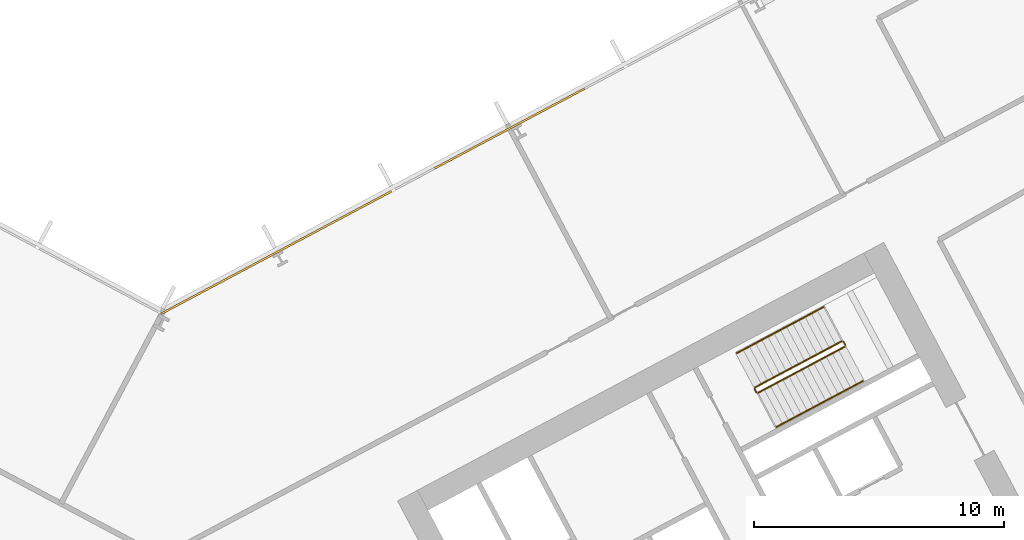
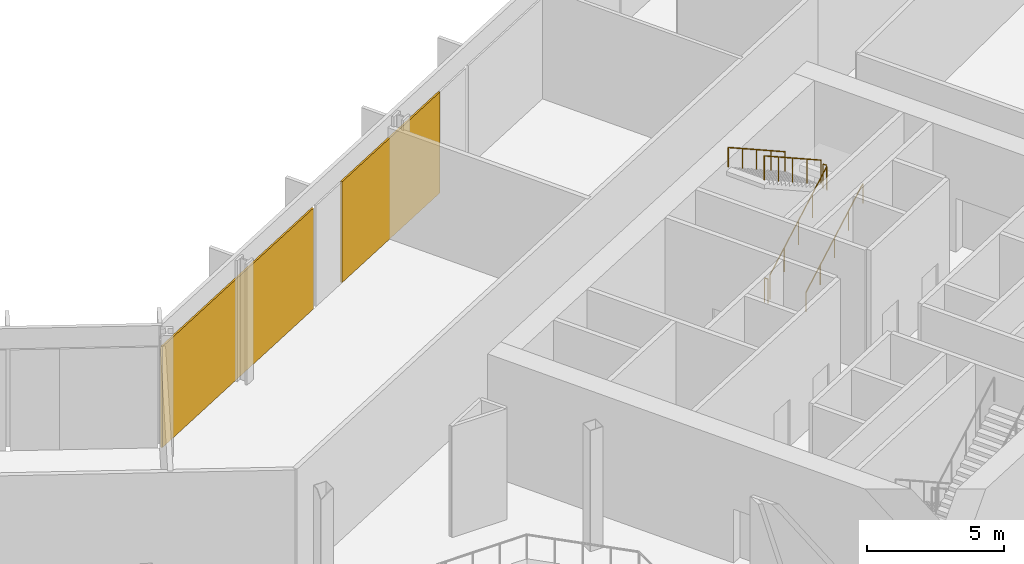
# One storey, part 28 of 30: 6 railings, 2 coverings, 1 element without a shape of its own.
"""IFC4 building model written with IfcOpenShell, lengths in metres."""

from ifc_helpers import new_model, si_unit, direction, frame, origin, origin_2d, place, context, subcontext, project, spatial, polyline, rectangle, outline, extrude, material, layer, layer_set, type_object, element, aggregate, save


model = new_model("IFC4")

# Units and contexts
model_context = context("Model", 3, precision=1e-05, world=origin(), true_north=direction((0.0, 1.0)))
body_context = subcontext(model_context, "Body", "Model", "MODEL_VIEW")
ifc_project = project(units=[si_unit("LENGTHUNIT", "METRE"), si_unit("AREAUNIT", "SQUARE_METRE"), si_unit("VOLUMEUNIT", "CUBIC_METRE"), si_unit("PLANEANGLEUNIT", "RADIAN"), si_unit("MASSUNIT", "GRAM", prefix="KILO")], contexts=[model_context])

# Site, building, storey
site_placement = place(None, origin())
site = spatial("IfcSite", under=ifc_project, at=site_placement, CompositionType="ELEMENT")
building_placement = place(site_placement, origin())
building = spatial("IfcBuilding", under=site, at=building_placement, Name="Cormorant Relay Tower", CompositionType="ELEMENT")
storey_placement = place(building_placement, frame((0.0, 0.0, 44.60009765625)))
storey = spatial("IfcBuildingStorey", under=building, at=storey_placement, Name="L08", CompositionType="ELEMENT", Elevation=44.60009765625)

# Curtain wall, coverings
ifc_material_1 = material(Name="Aluminium 6063-T6 anodised bronze", Category="aluminium")
ifc_layer_1 = layer(ifc_material_1, 0.235107421875)
ifc_layer_set_1 = layer_set([ifc_layer_1], Name="CW6 data hall curtain wall with mineral wool panels")
curtain_wall_type = type_object("IfcCurtainWallType", Name="CW6 data hall curtain wall with mineral wool panels", PredefinedType="NOTDEFINED", material=ifc_layer_set_1)
curtain_wall_placement = place(storey_placement, origin())
curtain_wall = element("IfcCurtainWall", 1, at=curtain_wall_placement, inside=storey, type_object=curtain_wall_type, Name="CW6 curtain wall 6", PredefinedType="NOTDEFINED")
ifc_material_2 = material(Name="Mineral wool cored anodised bronze aluminium cassette panel", Category="aluminium")
ifc_layer_2 = layer(ifc_material_2, 0.074951171875)
ifc_layer_set_2 = layer_set([ifc_layer_2], Name="CW6 mineral wool cassette panel 75")
covering_type = type_object("IfcCoveringType", Name="CW6 mineral wool cassette panel 75", PredefinedType="CLADDING", material=ifc_layer_set_2)
covering_1_placement = place(storey_placement, frame((13.9091796875, 31.221923828125, 0.0), z_axis=(0.0, 0.0, 1.0), x_axis=(-0.882947592859, -0.469471562786, 0.0)))
covering_1 = element("IfcCovering", 2, at=covering_1_placement, type_object=covering_type, Name="CW6 panel S07", PredefinedType="CLADDING", context=body_context, shape_type="SweptSolid", body=[
    extrude(rectangle(XDim=6.765380859375, YDim=0.074951171875, at=origin_2d()), origin(), (0.0, 0.0, 1.0), 4.5),
])
covering_2_placement = place(storey_placement, frame((4.591552734375, 26.267822265625, 0.0), z_axis=(0.0, 0.0, 1.0), x_axis=(-0.882947592859, -0.469471562786, 0.0)))
covering_2 = element("IfcCovering", 3, at=covering_2_placement, type_object=covering_type, Name="CW6 panel S09", PredefinedType="CLADDING", context=body_context, shape_type="SweptSolid", body=[
    extrude(rectangle(XDim=10.440185546875, YDim=0.074951171875, at=origin_2d()), origin(), (0.0, 0.0, 1.0), 4.5),
])
aggregate(curtain_wall, [covering_1, covering_2])

# Railings
ifc_material_3 = material(Name="Steel ASTM A572 Grade 50 (Fy 345 MPa)", Category="steel")
railing_type_1 = type_object("IfcRailingType", Name="Stair guard 1100", PredefinedType="GUARDRAIL", material=ifc_material_3)
railing_1_placement = place(storey_placement, frame((23.8408203125, 20.6611328125, 0.179931640625)))
element("IfcRailing", 4, at=railing_1_placement, inside=storey, type_object=railing_type_1, Name="L08 B2 stair guard 1", PredefinedType="GUARDRAIL", context=body_context, shape_type="SweptSolid", body=[
    extrude(outline(polyline([(0.022216796875, 0.00927734375), (0.00927734375, 0.022216796875), (-0.00927734375, 0.022216796875), (-0.022216796875, 0.00927734375), (-0.022216796875, -0.00927734375), (-0.00927734375, -0.022216796875), (0.00927734375, -0.022216796875), (0.022216796875, -0.00927734375), (0.022216796875, 0.00927734375)])), frame((0.0, 0.0, 1.076171875), z_axis=(0.74271721126, 0.394907409077, 0.540758062681), x_axis=(-0.469469396681, 0.882948744594, 0.0)), (0.0, 0.0, 1.0), 4.66015625),
    extrude(outline(polyline([(0.019287109375, 0.008056640625), (0.008056640625, 0.019287109375), (-0.008056640625, 0.019287109375), (-0.019287109375, 0.008056640625), (-0.019287109375, -0.008056640625), (-0.008056640625, -0.019287109375), (0.008056640625, -0.019287109375), (0.019287109375, -0.008056640625), (0.019287109375, 0.008056640625)])), origin(), (0.0, 0.0, 1.0), 1.052001953125),
    extrude(outline(polyline([(0.019287109375, 0.008056640625), (0.008056640625, 0.019287109375), (-0.008056640625, 0.019287109375), (-0.019287109375, 0.008056640625), (-0.019287109375, -0.008056640625), (-0.008056640625, -0.019287109375), (0.008056640625, -0.019287109375), (0.019287109375, -0.008056640625), (0.019287109375, 0.008056640625)])), frame((0.865234375, 0.4599609375, 0.6298828125)), (0.0, 0.0, 1.0), 1.052001953125),
    extrude(outline(polyline([(0.019287109375, 0.008056640625), (0.008056640625, 0.019287109375), (-0.008056640625, 0.019287109375), (-0.019287109375, 0.008056640625), (-0.019287109375, -0.008056640625), (-0.008056640625, -0.019287109375), (0.008056640625, -0.019287109375), (0.019287109375, -0.008056640625), (0.019287109375, 0.008056640625)])), frame((1.73046875, 0.920166015625, 1.260009765625)), (0.0, 0.0, 1.0), 1.052001953125),
    extrude(outline(polyline([(0.019287109375, 0.008056640625), (0.008056640625, 0.019287109375), (-0.008056640625, 0.019287109375), (-0.019287109375, 0.008056640625), (-0.019287109375, -0.008056640625), (-0.008056640625, -0.019287109375), (0.008056640625, -0.019287109375), (0.019287109375, -0.008056640625), (0.019287109375, 0.008056640625)])), frame((2.595947265625, 1.38037109375, 1.89013671875)), (0.0, 0.0, 1.0), 1.052001953125),
    extrude(outline(polyline([(0.019287109375, 0.008056640625), (0.008056640625, 0.019287109375), (-0.008056640625, 0.019287109375), (-0.019287109375, 0.008056640625), (-0.019287109375, -0.008056640625), (-0.008056640625, -0.019287109375), (0.008056640625, -0.019287109375), (0.019287109375, -0.008056640625), (0.019287109375, 0.008056640625)])), frame((3.461181640625, 1.84033203125, 2.52001953125)), (0.0, 0.0, 1.0), 1.052001953125),
])
railing_2_placement = place(storey_placement, frame((27.32275390625, 22.569091796875, 2.699951171875)))
element("IfcRailing", 5, at=railing_2_placement, inside=storey, type_object=railing_type_1, Name="L08 B2 stair guard 2", PredefinedType="GUARDRAIL", context=body_context, shape_type="SweptSolid", body=[
    extrude(outline(polyline([(0.022216796875, 0.00927734375), (0.00927734375, 0.022216796875), (-0.00927734375, 0.022216796875), (-0.022216796875, 0.00927734375), (-0.022216796875, -0.00927734375), (-0.00927734375, -0.022216796875), (0.00927734375, -0.022216796875), (0.022216796875, -0.00927734375), (0.022216796875, 0.00927734375)])), frame((0.0, 0.0, 1.076171875), z_axis=(-0.470503732759, 0.882398003998, 0.0), x_axis=(-0.882398003998, -0.470503732759, 0.0)), (0.0, 0.0, 1.0), 0.14990234375),
    extrude(outline(polyline([(0.019287109375, 0.008056640625), (0.008056640625, 0.019287109375), (-0.008056640625, 0.019287109375), (-0.019287109375, 0.008056640625), (-0.019287109375, -0.008056640625), (-0.008056640625, -0.019287109375), (0.008056640625, -0.019287109375), (0.019287109375, -0.008056640625), (0.019287109375, 0.008056640625)])), origin(), (0.0, 0.0, 1.0), 1.052001953125),
    extrude(outline(polyline([(0.019287109375, 0.008056640625), (0.008056640625, 0.019287109375), (-0.008056640625, 0.019287109375), (-0.019287109375, 0.008056640625), (-0.019287109375, -0.008056640625), (-0.008056640625, -0.019287109375), (0.008056640625, -0.019287109375), (0.019287109375, -0.008056640625), (0.019287109375, 0.008056640625)])), frame((-0.070556640625, 0.13232421875, 0.0)), (0.0, 0.0, 1.0), 1.052001953125),
])
railing_3_placement = place(storey_placement, frame((27.1845703125, 22.72216796875, 2.8798828125)))
element("IfcRailing", 6, at=railing_3_placement, inside=storey, type_object=railing_type_1, Name="L08 B2 stair guard 3", PredefinedType="GUARDRAIL", context=body_context, shape_type="SweptSolid", body=[
    extrude(outline(polyline([(0.022216796875, 0.00927734375), (0.00927734375, 0.022216796875), (-0.00927734375, 0.022216796875), (-0.022216796875, 0.00927734375), (-0.022216796875, -0.00927734375), (-0.00927734375, -0.022216796875), (0.00927734375, -0.022216796875), (0.022216796875, -0.00927734375), (0.022216796875, 0.00927734375)])), frame((0.0, 0.0, 1.076171875), z_axis=(-0.74271721126, -0.394907409077, 0.540758062681), x_axis=(0.469469396681, -0.882948744594, 0.0)), (0.0, 0.0, 1.0), 4.66015625),
    extrude(outline(polyline([(0.019287109375, 0.008056640625), (0.008056640625, 0.019287109375), (-0.008056640625, 0.019287109375), (-0.019287109375, 0.008056640625), (-0.019287109375, -0.008056640625), (-0.008056640625, -0.019287109375), (0.008056640625, -0.019287109375), (0.019287109375, -0.008056640625), (0.019287109375, 0.008056640625)])), origin(), (0.0, 0.0, 1.0), 1.052001953125),
    extrude(outline(polyline([(0.019287109375, 0.008056640625), (0.008056640625, 0.019287109375), (-0.008056640625, 0.019287109375), (-0.019287109375, 0.008056640625), (-0.019287109375, -0.008056640625), (-0.008056640625, -0.019287109375), (0.008056640625, -0.019287109375), (0.019287109375, -0.008056640625), (0.019287109375, 0.008056640625)])), frame((-0.865234375, -0.4599609375, 0.6298828125)), (0.0, 0.0, 1.0), 1.052001953125),
    extrude(outline(polyline([(0.019287109375, 0.008056640625), (0.008056640625, 0.019287109375), (-0.008056640625, 0.019287109375), (-0.019287109375, 0.008056640625), (-0.019287109375, -0.008056640625), (-0.008056640625, -0.019287109375), (0.008056640625, -0.019287109375), (0.019287109375, -0.008056640625), (0.019287109375, 0.008056640625)])), frame((-1.73046875, -0.920166015625, 1.260009765625)), (0.0, 0.0, 1.0), 1.052001953125),
    extrude(outline(polyline([(0.019287109375, 0.008056640625), (0.008056640625, 0.019287109375), (-0.008056640625, 0.019287109375), (-0.019287109375, 0.008056640625), (-0.019287109375, -0.008056640625), (-0.008056640625, -0.019287109375), (0.008056640625, -0.019287109375), (0.019287109375, -0.008056640625), (0.019287109375, 0.008056640625)])), frame((-2.595947265625, -1.38037109375, 1.89013671875)), (0.0, 0.0, 1.0), 1.052001953125),
    extrude(outline(polyline([(0.019287109375, 0.008056640625), (0.008056640625, 0.019287109375), (-0.008056640625, 0.019287109375), (-0.019287109375, 0.008056640625), (-0.019287109375, -0.008056640625), (-0.008056640625, -0.019287109375), (0.008056640625, -0.019287109375), (0.019287109375, -0.008056640625), (0.019287109375, 0.008056640625)])), frame((-3.461181640625, -1.84033203125, 2.52001953125)), (0.0, 0.0, 1.0), 1.052001953125),
])
railing_4_placement = place(storey_placement, frame((23.773193359375, 20.681640625, 0.0)))
element("IfcRailing", 7, at=railing_4_placement, inside=storey, type_object=railing_type_1, Name="L08 B2 stair guard 4", PredefinedType="GUARDRAIL", context=body_context, shape_type="SweptSolid", body=[
    extrude(outline(polyline([(0.022216796875, 0.00927734375), (0.00927734375, 0.022216796875), (-0.00927734375, 0.022216796875), (-0.022216796875, 0.00927734375), (-0.022216796875, -0.00927734375), (-0.00927734375, -0.022216796875), (0.00927734375, -0.022216796875), (0.022216796875, -0.00927734375), (0.022216796875, 0.00927734375)])), frame((0.0, 0.0, 1.076171875), z_axis=(-0.46856034887, 0.8834314911, 0.0), x_axis=(-0.8834314911, -0.46856034887, 0.0)), (0.0, 0.0, 1.0), 0.150146484375),
    extrude(outline(polyline([(0.019287109375, 0.008056640625), (0.008056640625, 0.019287109375), (-0.008056640625, 0.019287109375), (-0.019287109375, 0.008056640625), (-0.019287109375, -0.008056640625), (-0.008056640625, -0.019287109375), (0.008056640625, -0.019287109375), (0.019287109375, -0.008056640625), (0.019287109375, 0.008056640625)])), origin(), (0.0, 0.0, 1.0), 1.052001953125),
    extrude(outline(polyline([(0.019287109375, 0.008056640625), (0.008056640625, 0.019287109375), (-0.008056640625, 0.019287109375), (-0.019287109375, 0.008056640625), (-0.019287109375, -0.008056640625), (-0.008056640625, -0.019287109375), (0.008056640625, -0.019287109375), (0.019287109375, -0.008056640625), (0.019287109375, 0.008056640625)])), frame((-0.0703125, 0.132568359375, 0.0)), (0.0, 0.0, 1.0), 1.052001953125),
])
ifc_material_4 = material(Name="Steel ASTM A572 Grade 50 (Fy 345 MPa)", Category="steel")
railing_type_2 = type_object("IfcRailingType", Name="Stair handrail 900", PredefinedType="HANDRAIL", material=ifc_material_4)
railing_5_placement = place(storey_placement, frame((24.568603515625, 19.29248046875, 0.179931640625)))
element("IfcRailing", 8, at=railing_5_placement, inside=storey, type_object=railing_type_2, Name="L08 B2 stair handrail 1", PredefinedType="HANDRAIL", context=body_context, shape_type="SweptSolid", body=[
    extrude(outline(polyline([(0.022216796875, 0.00927734375), (0.00927734375, 0.022216796875), (-0.00927734375, 0.022216796875), (-0.022216796875, 0.00927734375), (-0.022216796875, -0.00927734375), (-0.00927734375, -0.022216796875), (0.00927734375, -0.022216796875), (0.022216796875, -0.00927734375), (0.022216796875, 0.00927734375)])), frame((0.0, 0.0, 0.8759765625), z_axis=(0.74271721126, 0.394907409077, 0.540758062681), x_axis=(-0.469469396681, 0.882948744594, 0.0)), (0.0, 0.0, 1.0), 4.66015625),
    extrude(outline(polyline([(0.019287109375, 0.008056640625), (0.008056640625, 0.019287109375), (-0.008056640625, 0.019287109375), (-0.019287109375, 0.008056640625), (-0.019287109375, -0.008056640625), (-0.008056640625, -0.019287109375), (0.008056640625, -0.019287109375), (0.019287109375, -0.008056640625), (0.019287109375, 0.008056640625)])), origin(), (0.0, 0.0, 1.0), 0.851806640625),
    extrude(outline(polyline([(0.019287109375, 0.008056640625), (0.008056640625, 0.019287109375), (-0.008056640625, 0.019287109375), (-0.019287109375, 0.008056640625), (-0.019287109375, -0.008056640625), (-0.008056640625, -0.019287109375), (0.008056640625, -0.019287109375), (0.019287109375, -0.008056640625), (0.019287109375, 0.008056640625)])), frame((0.865234375, 0.4599609375, 0.6298828125)), (0.0, 0.0, 1.0), 0.851806640625),
    extrude(outline(polyline([(0.019287109375, 0.008056640625), (0.008056640625, 0.019287109375), (-0.008056640625, 0.019287109375), (-0.019287109375, 0.008056640625), (-0.019287109375, -0.008056640625), (-0.008056640625, -0.019287109375), (0.008056640625, -0.019287109375), (0.019287109375, -0.008056640625), (0.019287109375, 0.008056640625)])), frame((1.73046875, 0.920166015625, 1.260009765625)), (0.0, 0.0, 1.0), 0.851806640625),
    extrude(outline(polyline([(0.019287109375, 0.008056640625), (0.008056640625, 0.019287109375), (-0.008056640625, 0.019287109375), (-0.019287109375, 0.008056640625), (-0.019287109375, -0.008056640625), (-0.008056640625, -0.019287109375), (0.008056640625, -0.019287109375), (0.019287109375, -0.008056640625), (0.019287109375, 0.008056640625)])), frame((2.595947265625, 1.38037109375, 1.89013671875)), (0.0, 0.0, 1.0), 0.851806640625),
    extrude(outline(polyline([(0.019287109375, 0.008056640625), (0.008056640625, 0.019287109375), (-0.008056640625, 0.019287109375), (-0.019287109375, 0.008056640625), (-0.019287109375, -0.008056640625), (-0.008056640625, -0.019287109375), (0.008056640625, -0.019287109375), (0.019287109375, -0.008056640625), (0.019287109375, 0.008056640625)])), frame((3.461181640625, 1.84033203125, 2.52001953125)), (0.0, 0.0, 1.0), 0.851806640625),
])
railing_6_placement = place(storey_placement, frame((26.45703125, 24.090576171875, 2.8798828125)))
element("IfcRailing", 9, at=railing_6_placement, inside=storey, type_object=railing_type_2, Name="L08 B2 stair handrail 2", PredefinedType="HANDRAIL", context=body_context, shape_type="SweptSolid", body=[
    extrude(outline(polyline([(0.022216796875, 0.00927734375), (0.00927734375, 0.022216796875), (-0.00927734375, 0.022216796875), (-0.022216796875, 0.00927734375), (-0.022216796875, -0.00927734375), (-0.00927734375, -0.022216796875), (0.00927734375, -0.022216796875), (0.022216796875, -0.00927734375), (0.022216796875, 0.00927734375)])), frame((0.0, 0.0, 0.8759765625), z_axis=(-0.74271721126, -0.394907409077, 0.540758062681), x_axis=(0.469469396681, -0.882948744594, 0.0)), (0.0, 0.0, 1.0), 4.66015625),
    extrude(outline(polyline([(0.019287109375, 0.008056640625), (0.008056640625, 0.019287109375), (-0.008056640625, 0.019287109375), (-0.019287109375, 0.008056640625), (-0.019287109375, -0.008056640625), (-0.008056640625, -0.019287109375), (0.008056640625, -0.019287109375), (0.019287109375, -0.008056640625), (0.019287109375, 0.008056640625)])), origin(), (0.0, 0.0, 1.0), 0.851806640625),
    extrude(outline(polyline([(0.019287109375, 0.008056640625), (0.008056640625, 0.019287109375), (-0.008056640625, 0.019287109375), (-0.019287109375, 0.008056640625), (-0.019287109375, -0.008056640625), (-0.008056640625, -0.019287109375), (0.008056640625, -0.019287109375), (0.019287109375, -0.008056640625), (0.019287109375, 0.008056640625)])), frame((-0.865234375, -0.4599609375, 0.6298828125)), (0.0, 0.0, 1.0), 0.851806640625),
    extrude(outline(polyline([(0.019287109375, 0.008056640625), (0.008056640625, 0.019287109375), (-0.008056640625, 0.019287109375), (-0.019287109375, 0.008056640625), (-0.019287109375, -0.008056640625), (-0.008056640625, -0.019287109375), (0.008056640625, -0.019287109375), (0.019287109375, -0.008056640625), (0.019287109375, 0.008056640625)])), frame((-1.73046875, -0.920166015625, 1.260009765625)), (0.0, 0.0, 1.0), 0.851806640625),
    extrude(outline(polyline([(0.019287109375, 0.008056640625), (0.008056640625, 0.019287109375), (-0.008056640625, 0.019287109375), (-0.019287109375, 0.008056640625), (-0.019287109375, -0.008056640625), (-0.008056640625, -0.019287109375), (0.008056640625, -0.019287109375), (0.019287109375, -0.008056640625), (0.019287109375, 0.008056640625)])), frame((-2.595947265625, -1.38037109375, 1.89013671875)), (0.0, 0.0, 1.0), 0.851806640625),
    extrude(outline(polyline([(0.019287109375, 0.008056640625), (0.008056640625, 0.019287109375), (-0.008056640625, 0.019287109375), (-0.019287109375, 0.008056640625), (-0.019287109375, -0.008056640625), (-0.008056640625, -0.019287109375), (0.008056640625, -0.019287109375), (0.019287109375, -0.008056640625), (0.019287109375, 0.008056640625)])), frame((-3.461181640625, -1.84033203125, 2.52001953125)), (0.0, 0.0, 1.0), 0.851806640625),
])

save(model, "model.ifc")
